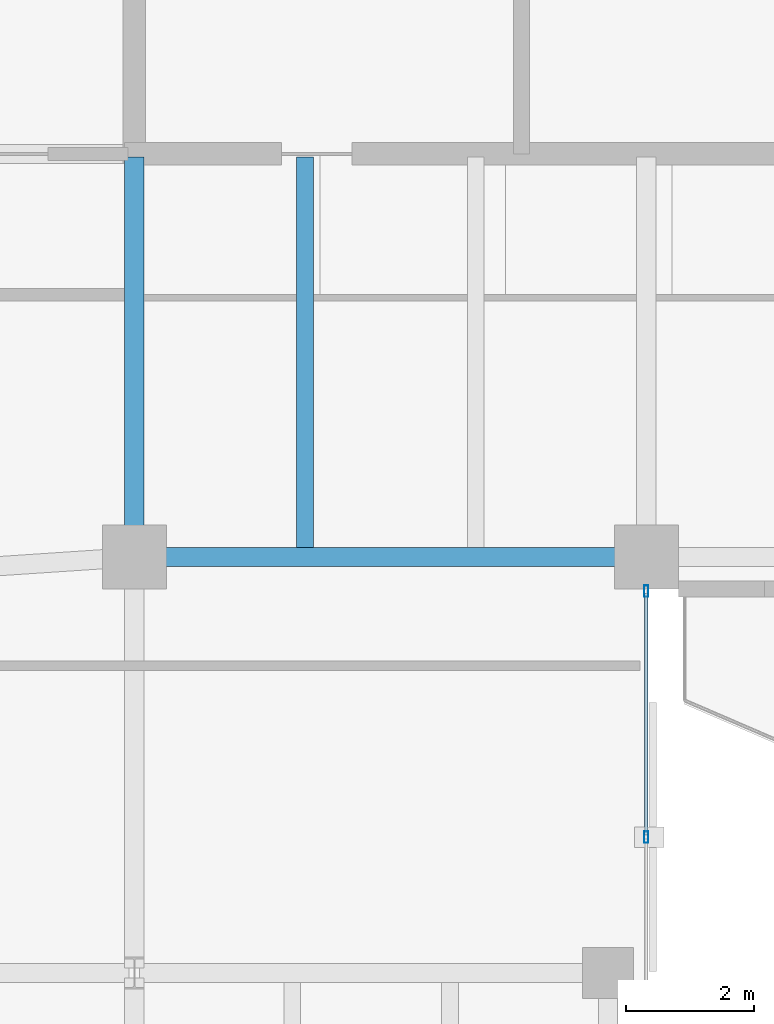
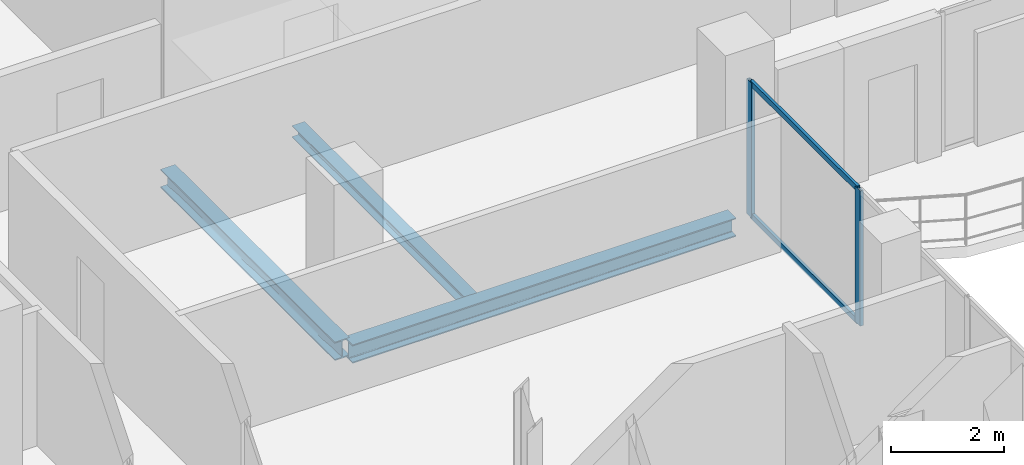
# One storey, part 10 of 23: 4 members, 3 beams, 1 element without a shape of its own.
"""IFC4 building model written with IfcOpenShell, lengths in metres."""

import ifcopenshell
import ifcopenshell.guid

model = None  # the IFC model being written
_history = None  # IfcOwnerHistory: only IFC2X3 demands one
_inside = {}  # id of a spatial element -> (the spatial element, [elements in it])
_under = {}  # id of a project, library or spatial element -> (it, [spatial elements below it])
_declared = {}  # id of a project -> (the project, [libraries it declares])
_typed = {}  # id of a type object -> (the type object, [elements of that type])
_made_of = {}  # id of a material, layer set ... -> (it, [elements and type objects made of it])


def new_model(schema):
    """Start an empty IFC model of exactly this schema.

    Asked for "IFC4X3", IfcOpenShell would pick the latest addendum, in which some entities
    have other attributes; the version numbers below select the first issue.
    IFC2X3 requires an IfcOwnerHistory on every rooted entity: one is made here for all.
    """
    global model, _history
    if schema == "IFC4X3":
        model = ifcopenshell.file(schema_version=(4, 3, 0, 0))
    else:
        model = ifcopenshell.file(schema=schema)
    _inside.clear()
    _under.clear()
    _declared.clear()
    _typed.clear()
    _made_of.clear()
    _history = None
    if model.schema == "IFC2X3":
        org = make("IfcOrganization", Name="unknown")
        user = make(
            "IfcPersonAndOrganization",
            ThePerson=make("IfcPerson", FamilyName="unknown"),
            TheOrganization=org,
        )
        app = make(
            "IfcApplication",
            ApplicationDeveloper=org,
            Version="unknown",
            ApplicationFullName="unknown",
            ApplicationIdentifier="unknown",
        )
        _history = make(
            "IfcOwnerHistory",
            OwningUser=user,
            OwningApplication=app,
            ChangeAction="ADDED",
            CreationDate=0,
        )
    return model


def make(cls, **values):
    """One entity of the class cls with the attributes given. An attribute that is None is left unset."""
    return model.create_entity(
        cls, **{name: value for name, value in values.items() if value is not None}
    )


def rooted(cls, **values):
    """An entity with a GlobalId (a new one), such as an element, a storey or a relation."""
    return make(cls, GlobalId=ifcopenshell.guid.new(), OwnerHistory=_history, **values)


def si_unit(unit_type, name, prefix=None):
    """IfcSIUnit, for example si_unit("LENGTHUNIT", "METRE", prefix="MILLI")."""
    return make("IfcSIUnit", UnitType=unit_type, Prefix=prefix, Name=name)


def assignment(units):
    """IfcUnitAssignment: the units of a project."""
    return None if units is None else make("IfcUnitAssignment", Units=units)


def point(xyz):
    """IfcCartesianPoint."""
    return None if xyz is None else make("IfcCartesianPoint", Coordinates=xyz)


def direction(xyz):
    """IfcDirection."""
    return None if xyz is None else make("IfcDirection", DirectionRatios=xyz)


def frame(location, z_axis=None, x_axis=None):
    """IfcAxis2Placement3D, a coordinate frame: its origin and axes. An axis left out is left unset."""
    return make(
        "IfcAxis2Placement3D",
        Location=point(location),
        Axis=direction(z_axis),
        RefDirection=direction(x_axis),
    )


def frame_2d(location, x_axis=None):
    """IfcAxis2Placement2D, a coordinate frame in the plane: its origin and x axis."""
    return make(
        "IfcAxis2Placement2D", Location=point(location), RefDirection=direction(x_axis)
    )


def origin():
    """The frame at (0, 0, 0) with its axes left unset."""
    return frame((0.0, 0.0, 0.0))


def origin_2d():
    """The frame at (0, 0) in the plane with its x axis left unset."""
    return frame_2d((0.0, 0.0))


def place(relative_to, where):
    """IfcLocalPlacement: puts the frame where relative to a parent placement (None: the world)."""
    return make(
        "IfcLocalPlacement", PlacementRelTo=relative_to, RelativePlacement=where
    )


def context(
    kind, dimensions, precision=None, world=None, true_north=None, identifier=None
):
    """IfcGeometricRepresentationContext, for example the 3D "Model" context."""
    return make(
        "IfcGeometricRepresentationContext",
        ContextIdentifier=identifier,
        ContextType=kind,
        CoordinateSpaceDimension=dimensions,
        Precision=precision,
        WorldCoordinateSystem=world,
        TrueNorth=true_north,
    )


def subcontext(parent, identifier, kind, view, scale=None):
    """IfcGeometricRepresentationSubContext, for example "Body" below "Model"."""
    return make(
        "IfcGeometricRepresentationSubContext",
        ContextIdentifier=identifier,
        ContextType=kind,
        ParentContext=parent,
        TargetScale=scale,
        TargetView=view,
    )


def project(units=None, contexts=None):
    """IfcProject with its units and contexts."""
    return rooted(
        "IfcProject",
        Name="project",
        RepresentationContexts=contexts,
        UnitsInContext=assignment(units),
    )


def spatial(cls, under=None, at=None, **own):
    """A site, building, storey or space (cls), placed at a placement, below another one or the project."""
    s = rooted(cls, ObjectPlacement=at, **own)
    if under is not None:
        _under.setdefault(under.id(), (under, []))[1].append(s)
    return s


def profile(cls, at=None, kind="AREA", **sizes):
    """A parametric profile (cls). Its sizes go by their IFC names, for example OverallWidth=200.0."""
    return make(cls, ProfileType=kind, Position=at, **sizes)


def hollow_rectangle(**sizes):
    """IfcRectangleHollowProfileDef."""
    return profile("IfcRectangleHollowProfileDef", **sizes)


def i_section(**sizes):
    """IfcIShapeProfileDef."""
    return profile("IfcIShapeProfileDef", **sizes)


def extrude(swept, where, along, depth):
    """IfcExtrudedAreaSolid: the profile swept, set in the frame where, extruded along a direction by depth."""
    return make(
        "IfcExtrudedAreaSolid",
        SweptArea=swept,
        Position=where,
        ExtrudedDirection=direction(along),
        Depth=depth,
    )


def shape(context_of_items, identifier, shape_type, items):
    """IfcShapeRepresentation: the items that make up one representation, for example the "Body"."""
    return make(
        "IfcShapeRepresentation",
        ContextOfItems=context_of_items,
        RepresentationIdentifier=identifier,
        RepresentationType=shape_type,
        Items=items,
    )


def material(Name=None, Category=None):
    """IfcMaterial."""
    return make("IfcMaterial", Name=Name, Category=Category)


def layer(
    of_material, thickness, ventilated=None, Name=None, Category=None, Priority=None
):
    """IfcMaterialLayer: one layer of a wall or slab, of a material (None: an air gap)."""
    return make(
        "IfcMaterialLayer",
        Material=of_material,
        LayerThickness=thickness,
        IsVentilated=ventilated,
        Name=Name,
        Category=Category,
        Priority=Priority,
    )


def layer_set(layers, Name=None):
    """IfcMaterialLayerSet."""
    return make("IfcMaterialLayerSet", MaterialLayers=layers, LayerSetName=Name)


def material_profile(
    of_material, cross_section, Name=None, Category=None, Priority=None
):
    """IfcMaterialProfile: a cross section and its material."""
    return make(
        "IfcMaterialProfile",
        Name=Name,
        Material=of_material,
        Profile=cross_section,
        Priority=Priority,
        Category=Category,
    )


def profile_set(profiles, Name=None, composite=None):
    """IfcMaterialProfileSet."""
    return make(
        "IfcMaterialProfileSet",
        Name=Name,
        MaterialProfiles=profiles,
        CompositeProfile=composite,
    )


def made_of(thing, what):
    """Note that an element or type object is made of a material, layer set ...; save() writes the relation."""
    if what is not None:
        _made_of.setdefault(what.id(), (what, []))[1].append(thing)
    return thing


def type_object(cls, material=None, **own):
    """A type object (cls), such as IfcWallType, which elements share."""
    return made_of(rooted(cls, **own), material)


def element(
    cls,
    number,
    at=None,
    inside=None,
    cuts=None,
    type_object=None,
    material=None,
    context=None,
    identifier="Body",
    shape_type=None,
    held_by="IfcProductDefinitionShape",
    body=None,
    shapes=None,
    **own,
):
    """One element of the class cls, such as IfcWall. Its Tag is "e" and its number.

    at: its placement. inside: the storey or other place that contains it. cuts: it is an
    opening in that element (IfcRelVoidsElement). A single representation is given by context,
    identifier, shape_type and body (its items); several are given by shapes. held_by: the class
    of the entity that holds the representations. save() writes the other relations.
    """
    e = rooted(cls, Tag="e%d" % number, ObjectPlacement=at, **own)
    if body is not None:
        shapes = [shape(context, identifier, shape_type, body)]
    if shapes is not None:
        e.Representation = make(held_by, Representations=shapes)
    if inside is not None:
        _inside.setdefault(inside.id(), (inside, []))[1].append(e)
    if cuts is not None:
        rooted(
            "IfcRelVoidsElement", RelatingBuildingElement=cuts, RelatedOpeningElement=e
        )
    if type_object is not None:
        _typed.setdefault(type_object.id(), (type_object, []))[1].append(e)
    return made_of(e, material)


def aggregate(whole, parts):
    """IfcRelAggregates: a whole, such as a stair, and the parts it consists of."""
    return rooted("IfcRelAggregates", RelatingObject=whole, RelatedObjects=parts)


def save(model, path):
    """Write the relations noted so far, then the file.

    IfcRelAggregates (storeys below a building ...), IfcRelContainedInSpatialStructure (elements
    in a storey), IfcRelDefinesByType, IfcRelAssociatesMaterial and IfcRelDeclares: one each for
    every whole, place, type object, material and project.
    """
    for whole, parts in _under.values():
        aggregate(whole, parts)
    for where, things in _inside.values():
        rooted(
            "IfcRelContainedInSpatialStructure",
            RelatedElements=things,
            RelatingStructure=where,
        )
    for kind, things in _typed.values():
        rooted("IfcRelDefinesByType", RelatedObjects=things, RelatingType=kind)
    for what, things in _made_of.values():
        rooted("IfcRelAssociatesMaterial", RelatedObjects=things, RelatingMaterial=what)
    for by, libraries in _declared.values():
        rooted("IfcRelDeclares", RelatingContext=by, RelatedDefinitions=libraries)
    model.write(path)


model = new_model("IFC4")

# Units and contexts
model_context = context("Model", 3, precision=1e-05, world=origin(), true_north=direction((0.0, 1.0)))
body_context = subcontext(model_context, "Body", "Model", "MODEL_VIEW")
ifc_project = project(units=[si_unit("LENGTHUNIT", "METRE"), si_unit("AREAUNIT", "SQUARE_METRE"), si_unit("VOLUMEUNIT", "CUBIC_METRE"), si_unit("PLANEANGLEUNIT", "RADIAN"), si_unit("MASSUNIT", "GRAM", prefix="KILO")], contexts=[model_context])

# Site, building, storey
site_placement = place(None, origin())
site = spatial("IfcSite", under=ifc_project, at=site_placement, CompositionType="ELEMENT")
building_placement = place(site_placement, origin())
building = spatial("IfcBuilding", under=site, at=building_placement, Name="Catumbela Crestline Tower", CompositionType="ELEMENT")
storey_placement = place(building_placement, frame((0.0, 0.0, 190.2)))
storey = spatial("IfcBuildingStorey", under=building, at=storey_placement, Name="L49", CompositionType="ELEMENT", Elevation=190.2)

# Beams
ifc_material_1 = material(Name="Structural steel S355J2", Category="steel")
ifc_material_profile_1 = material_profile(ifc_material_1, i_section(OverallWidth=0.3, OverallDepth=0.4, WebThickness=0.0135, FlangeThickness=0.024, FilletRadius=0.027, at=origin_2d()), Name="HEB 400")
ifc_profile_set_1 = profile_set([ifc_material_profile_1], Name="Structural steel S355J2")
beam_type_1 = type_object("IfcBeamType", Name="BG-HEB400", PredefinedType="BEAM", material=ifc_profile_set_1)
beam_1_placement = place(storey_placement, frame((16.08, 24.5, -0.46), z_axis=(1.0, 0.0, 0.0), x_axis=(0.0, 1.0, 0.0)))
element("IfcBeam", 1, at=beam_1_placement, inside=storey, type_object=beam_type_1, Name="L49 Beam BM-L49-S03", PredefinedType="BEAM", context=body_context, shape_type="SweptSolid", body=[
    extrude(i_section(OverallWidth=0.3, OverallDepth=0.4, WebThickness=0.0135, FlangeThickness=0.024, FilletRadius=0.027, at=origin_2d()), origin(), (0.0, 0.0, 1.0), 7.84),
])
beam_2_placement = place(storey_placement, frame((16.0, 24.58, -0.46), z_axis=(0.0, 1.0, 0.0), x_axis=(-1.0, 0.0, 0.0)))
element("IfcBeam", 2, at=beam_2_placement, inside=storey, type_object=beam_type_1, Name="L49 Beam BM-L49-SNS17", PredefinedType="BEAM", context=body_context, shape_type="SweptSolid", body=[
    extrude(i_section(OverallWidth=0.3, OverallDepth=0.4, WebThickness=0.0135, FlangeThickness=0.024, FilletRadius=0.027, at=origin_2d()), origin(), (0.0, 0.0, 1.0), 6.17),
])
ifc_material_profile_2 = material_profile(ifc_material_1, i_section(OverallWidth=0.26, OverallDepth=0.25, WebThickness=0.0075, FlangeThickness=0.0125, FilletRadius=0.024, at=origin_2d()), Name="HEA 260")
ifc_profile_set_2 = profile_set([ifc_material_profile_2], Name="Structural steel S355J2")
beam_type_2 = type_object("IfcBeamType", Name="BJ-HEA260", PredefinedType="JOIST", material=ifc_profile_set_2)
beam_3_placement = place(storey_placement, frame((18.667, 24.647, -0.385), z_axis=(0.0, 1.0, 0.0), x_axis=(-1.0, 0.0, 0.0)))
element("IfcBeam", 3, at=beam_3_placement, inside=storey, type_object=beam_type_2, Name="L49 Joist JS-L49-SP26", PredefinedType="JOIST", context=body_context, shape_type="SweptSolid", body=[
    extrude(i_section(OverallWidth=0.26, OverallDepth=0.25, WebThickness=0.0075, FlangeThickness=0.0125, FilletRadius=0.024, at=origin_2d()), origin(), (0.0, 0.0, 1.0), 6.103),
])

# Curtain wall, members
ifc_material_2 = material(Name="Aluminium alloy AW-6060-T66", Category="aluminium")
ifc_layer = layer(ifc_material_2, 0.18, Name="Aluminium alloy AW-6060-T66")
ifc_layer_set = layer_set([ifc_layer], Name="Aluminium alloy AW-6060-T66")
curtain_wall_type = type_object("IfcCurtainWallType", Name="CWU-Z3", PredefinedType="USERDEFINED", material=ifc_layer_set)
curtain_wall_placement = place(storey_placement, origin())
curtain_wall = element("IfcCurtainWall", 4, at=curtain_wall_placement, inside=storey, type_object=curtain_wall_type, Name="L49 Unitised Curtain Wall CW-L49-E2S1", ObjectType="UNITISED", PredefinedType="USERDEFINED")
ifc_material_profile_3 = material_profile(ifc_material_2, hollow_rectangle(XDim=0.065, YDim=0.18, WallThickness=0.004, at=origin_2d()), Name="ALU 180x65x4")
ifc_profile_set_3 = profile_set([ifc_material_profile_3], Name="Aluminium alloy AW-6060-T66")
member_type_1 = type_object("IfcMemberType", Name="MUL-180X65", PredefinedType="MULLION", material=ifc_profile_set_3)
member_1_placement = place(storey_placement, frame((24.0, 20.125, 0.0), z_axis=(0.0, 0.0, 1.0), x_axis=(-1.0, 0.0, 0.0)))
member_1 = element("IfcMember", 5, at=member_1_placement, type_object=member_type_1, Name="CWU-Z3 mullion 4", PredefinedType="MULLION", context=body_context, shape_type="SweptSolid", body=[
    extrude(hollow_rectangle(XDim=0.065, YDim=0.18, WallThickness=0.004, at=origin_2d()), origin(), (0.0, 0.0, 1.0), 2.92),
])
member_2_placement = place(storey_placement, frame((24.0, 23.9675, 0.0), z_axis=(0.0, 0.0, 1.0), x_axis=(-1.0, 0.0, 0.0)))
member_2 = element("IfcMember", 6, at=member_2_placement, type_object=member_type_1, Name="CWU-Z3 mullion 5", PredefinedType="MULLION", context=body_context, shape_type="SweptSolid", body=[
    extrude(hollow_rectangle(XDim=0.065, YDim=0.18, WallThickness=0.004, at=origin_2d()), origin(), (0.0, 0.0, 1.0), 2.92),
])
ifc_material_profile_4 = material_profile(ifc_material_2, hollow_rectangle(XDim=0.06, YDim=0.12, WallThickness=0.0035, at=origin_2d()), Name="ALU 120x60x3.5")
ifc_profile_set_4 = profile_set([ifc_material_profile_4], Name="Aluminium alloy AW-6060-T66")
member_type_2 = type_object("IfcMemberType", Name="TRN-120X60", PredefinedType="USERDEFINED", material=ifc_profile_set_4)
member_3_placement = place(storey_placement, frame((24.0, 20.1575, 0.03), z_axis=(0.0, 1.0, 0.0), x_axis=(-1.0, 0.0, 0.0)))
member_3 = element("IfcMember", 7, at=member_3_placement, type_object=member_type_2, Name="CWU-Z3 transom 4.1", ObjectType="TRANSOM", PredefinedType="USERDEFINED", context=body_context, shape_type="SweptSolid", body=[
    extrude(hollow_rectangle(XDim=0.06, YDim=0.12, WallThickness=0.0035, at=origin_2d()), origin(), (0.0, 0.0, 1.0), 3.7775),
])
member_4_placement = place(storey_placement, frame((24.0, 20.1575, 2.89), z_axis=(0.0, 1.0, 0.0), x_axis=(-1.0, 0.0, 0.0)))
member_4 = element("IfcMember", 8, at=member_4_placement, type_object=member_type_2, Name="CWU-Z3 transom 4.2", ObjectType="TRANSOM", PredefinedType="USERDEFINED", context=body_context, shape_type="SweptSolid", body=[
    extrude(hollow_rectangle(XDim=0.06, YDim=0.12, WallThickness=0.0035, at=origin_2d()), origin(), (0.0, 0.0, 1.0), 3.7775),
])
aggregate(curtain_wall, [member_1, member_2, member_3, member_4])

save(model, "model.ifc")
